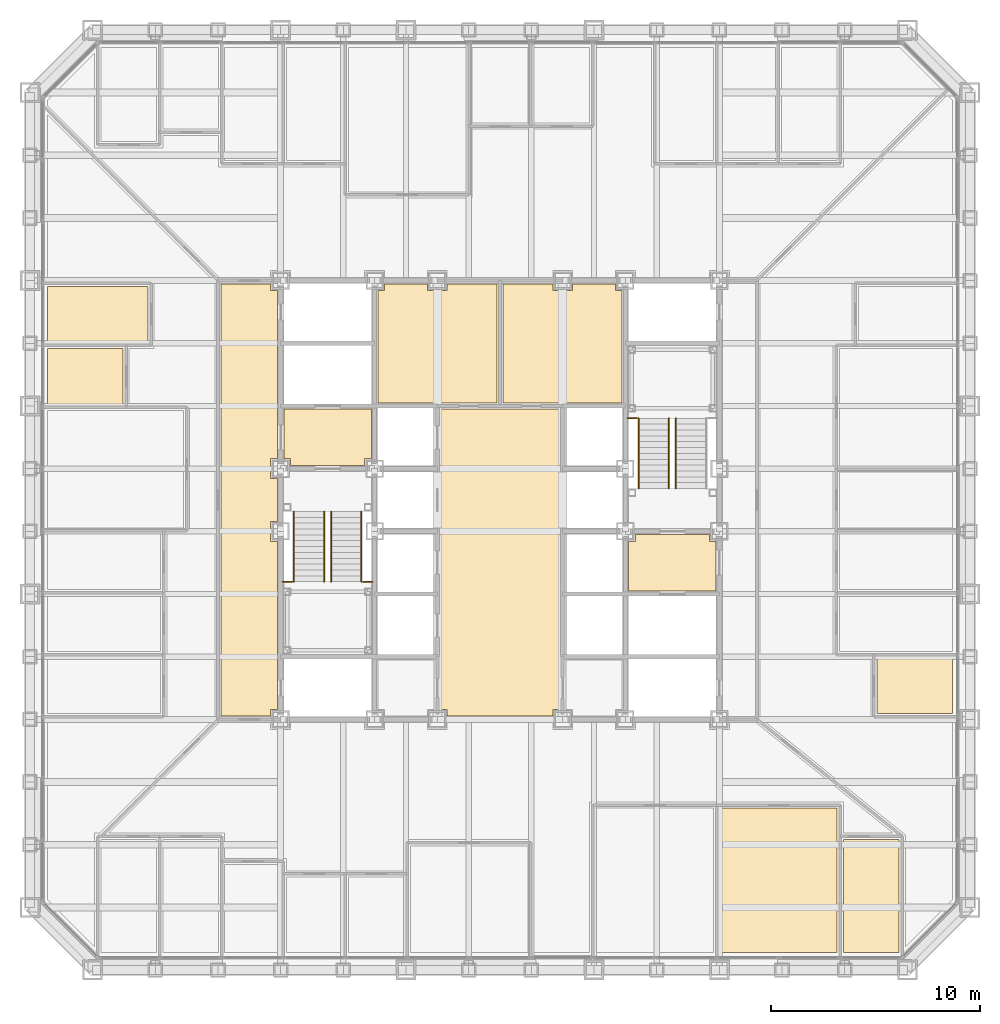
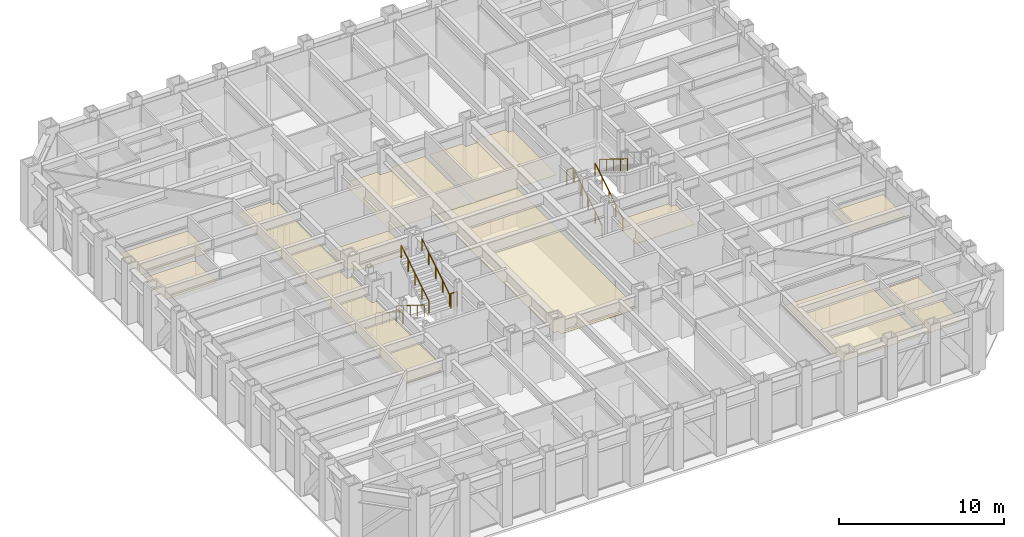
# One storey, part 15 of 17: 11 coverings, 10 railings.
"""IFC4 building model written with IfcOpenShell, lengths in metres."""

from ifc_helpers import new_model, si_unit, direction, frame, origin, origin_2d, place, context, subcontext, project, spatial, polyline, circle, outline, extrude, material, layer, layer_set, type_object, element, save


model = new_model("IFC4")

# Units and contexts
model_context = context("Model", 3, precision=1e-05, world=origin(), true_north=direction((0.0, 1.0)))
body_context = subcontext(model_context, "Body", "Model", "MODEL_VIEW")
ifc_project = project(units=[si_unit("LENGTHUNIT", "METRE"), si_unit("AREAUNIT", "SQUARE_METRE"), si_unit("VOLUMEUNIT", "CUBIC_METRE"), si_unit("PLANEANGLEUNIT", "RADIAN"), si_unit("MASSUNIT", "GRAM", prefix="KILO")], contexts=[model_context])

# Site, building, storey
site_placement = place(None, origin())
site = spatial("IfcSite", under=ifc_project, at=site_placement, CompositionType="ELEMENT")
building_placement = place(site_placement, origin())
building = spatial("IfcBuilding", under=site, at=building_placement, Name="Chuquiago Exchange Tower", CompositionType="ELEMENT")
storey_placement = place(building_placement, frame((0.0, 0.0, 46.800048828125)))
storey = spatial("IfcBuildingStorey", under=building, at=storey_placement, Name="L09", CompositionType="ELEMENT", Elevation=46.800048828125)

# Coverings
ifc_material_1 = material(Name="Mineral fibre tile, 600 x 600, on pale metal grid", Category="mineral fibre")
ifc_layer_1 = layer(ifc_material_1, 0.02001953125)
ifc_layer_set_1 = layer_set([ifc_layer_1], Name="CL1 suspended tile ceiling 20")
covering_type_1 = type_object("IfcCoveringType", Name="CL1 suspended tile ceiling 20", PredefinedType="CEILING", material=ifc_layer_set_1)
covering_1_placement = place(storey_placement, frame((0.0, 0.0, 3.0)))
element("IfcCovering", 1, at=covering_1_placement, inside=storey, type_object=covering_type_1, Name="Ceiling Market data room", PredefinedType="CEILING", context=body_context, shape_type="SweptSolid", body=[
    extrude(outline(polyline([(33.01611328125, 7.75), (38.6396484375, 7.75), (38.6396484375, 0.85009765625), (33.01611328125, 0.85009765625), (33.01611328125, 7.75)])), origin(), (0.0, 0.0, 1.0), 0.02001953125),
])
covering_2_placement = place(storey_placement, frame((0.0, 0.0, 3.0)))
element("IfcCovering", 2, at=covering_2_placement, inside=storey, type_object=covering_type_1, Name="Ceiling Trading support room", PredefinedType="CEILING", context=body_context, shape_type="SweptSolid", body=[
    extrude(outline(polyline([(38.939697265625, 0.85009765625), (38.939697265625, 6.25), (41.6015625, 6.25), (41.6015625, 0.85009765625), (38.939697265625, 0.85009765625)])), origin(), (0.0, 0.0, 1.0), 0.02001953125),
])
covering_3_placement = place(storey_placement, frame((0.0, 0.0, 3.0)))
element("IfcCovering", 3, at=covering_3_placement, inside=storey, type_object=covering_type_1, Name="Ceiling Focus room", PredefinedType="CEILING", context=body_context, shape_type="SweptSolid", body=[
    extrude(outline(polyline([(40.550048828125, 12.28369140625), (40.550048828125, 14.945556640625), (44.14990234375, 14.945556640625), (44.14990234375, 12.28369140625), (40.550048828125, 12.28369140625)])), origin(), (0.0, 0.0, 1.0), 0.02001953125),
])
covering_4_placement = place(storey_placement, frame((0.0, 0.0, 3.0)))
element("IfcCovering", 4, at=covering_4_placement, inside=storey, type_object=covering_type_1, Name="Ceiling Focus room", PredefinedType="CEILING", context=body_context, shape_type="SweptSolid", body=[
    extrude(outline(polyline([(4.449951171875, 29.75439453125), (4.449951171875, 27.092529296875), (0.85009765625, 27.092529296875), (0.85009765625, 29.75439453125), (4.449951171875, 29.75439453125)])), origin(), (0.0, 0.0, 1.0), 0.02001953125),
])
covering_5_placement = place(storey_placement, frame((0.0, 0.0, 3.0)))
element("IfcCovering", 5, at=covering_5_placement, inside=storey, type_object=covering_type_1, Name="Ceiling Wellness room", PredefinedType="CEILING", context=body_context, shape_type="SweptSolid", body=[
    extrude(outline(polyline([(5.64990234375, 32.71630859375), (5.64990234375, 30.054443359375), (0.85009765625, 30.054443359375), (0.85009765625, 32.71630859375), (5.64990234375, 32.71630859375)])), origin(), (0.0, 0.0, 1.0), 0.02001953125),
])
covering_6_placement = place(storey_placement, frame((0.0, 0.0, 3.0)))
element("IfcCovering", 6, at=covering_6_placement, inside=storey, type_object=covering_type_1, Name="Ceiling Circulation corridor", PredefinedType="CEILING", context=body_context, shape_type="SweptSolid", body=[
    extrude(outline(polyline([(9.14990234375, 12.14990234375), (9.14990234375, 32.85009765625), (11.52490234375, 32.85009765625), (11.52490234375, 32.52490234375), (11.85009765625, 32.52490234375), (11.85009765625, 24.47509765625), (11.52490234375, 24.47509765625), (11.52490234375, 23.52490234375), (11.85009765625, 23.52490234375), (11.85009765625, 21.47509765625), (11.52490234375, 21.47509765625), (11.52490234375, 20.52490234375), (11.85009765625, 20.52490234375), (11.85009765625, 12.47509765625), (11.52490234375, 12.47509765625), (11.52490234375, 12.14990234375), (9.14990234375, 12.14990234375)])), origin(), (0.0, 0.0, 1.0), 0.02001953125),
])
ifc_material_2 = material(Name="Moisture resistant plasterboard on metal frame", Category="gypsum")
ifc_layer_2 = layer(ifc_material_2, 0.014892578125)
ifc_layer_set_2 = layer_set([ifc_layer_2], Name="CL2 moisture resistant ceiling 15")
covering_type_2 = type_object("IfcCoveringType", Name="CL2 moisture resistant ceiling 15", PredefinedType="CEILING", material=ifc_layer_set_2)
covering_7_placement = place(storey_placement, frame((0.0, 0.0, 2.599853515625)))
element("IfcCovering", 7, at=covering_7_placement, inside=storey, type_object=covering_type_2, Name="Ceiling Male WC", PredefinedType="CEILING", context=body_context, shape_type="SweptSolid", body=[
    extrude(outline(polyline([(16.64990234375, 27.14990234375), (16.64990234375, 32.52490234375), (16.97509765625, 32.52490234375), (16.97509765625, 32.85009765625), (19.02490234375, 32.85009765625), (19.02490234375, 32.52490234375), (19.97509765625, 32.52490234375), (19.97509765625, 32.85009765625), (22.35009765625, 32.85009765625), (22.35009765625, 27.14990234375), (16.64990234375, 27.14990234375)])), origin(), (0.0, 0.0, 1.0), 0.01513671875),
])
covering_8_placement = place(storey_placement, frame((0.0, 0.0, 2.599853515625)))
element("IfcCovering", 8, at=covering_8_placement, inside=storey, type_object=covering_type_2, Name="Ceiling Female WC", PredefinedType="CEILING", context=body_context, shape_type="SweptSolid", body=[
    extrude(outline(polyline([(22.64990234375, 27.14990234375), (22.64990234375, 32.85009765625), (25.02490234375, 32.85009765625), (25.02490234375, 32.52490234375), (25.97509765625, 32.52490234375), (25.97509765625, 32.85009765625), (28.02490234375, 32.85009765625), (28.02490234375, 32.52490234375), (28.35009765625, 32.52490234375), (28.35009765625, 27.14990234375), (22.64990234375, 27.14990234375)])), origin(), (0.0, 0.0, 1.0), 0.01513671875),
])
ifc_material_3 = material(Name="Pale metal plank ceiling, perforated", Category="aluminium")
ifc_layer_3 = layer(ifc_material_3, 0.030029296875)
ifc_layer_set_3 = layer_set([ifc_layer_3], Name="CL3 metal plank ceiling 30")
covering_type_3 = type_object("IfcCoveringType", Name="CL3 metal plank ceiling 30", PredefinedType="CEILING", material=ifc_layer_set_3)
covering_9_placement = place(storey_placement, frame((0.0, 0.0, 2.800048828125)))
element("IfcCovering", 9, at=covering_9_placement, inside=storey, type_object=covering_type_3, Name="Ceiling Lift lobby", PredefinedType="CEILING", context=body_context, shape_type="SweptSolid", body=[
    extrude(outline(polyline([(19.97509765625, 12.14990234375), (19.97509765625, 12.47509765625), (19.64990234375, 12.47509765625), (19.64990234375, 26.85009765625), (25.35009765625, 26.85009765625), (25.35009765625, 12.47509765625), (25.02490234375, 12.47509765625), (25.02490234375, 12.14990234375), (19.97509765625, 12.14990234375)])), origin(), (0.0, 0.0, 1.0), 0.02978515625),
])
covering_10_placement = place(storey_placement, frame((0.0, 0.0, 2.800048828125)))
element("IfcCovering", 10, at=covering_10_placement, inside=storey, type_object=covering_type_3, Name="Ceiling Firefighting lobby", PredefinedType="CEILING", context=body_context, shape_type="SweptSolid", body=[
    extrude(outline(polyline([(12.47509765625, 24.14990234375), (12.47509765625, 24.47509765625), (12.14990234375, 24.47509765625), (12.14990234375, 26.85009765625), (16.35009765625, 26.85009765625), (16.35009765625, 24.47509765625), (16.02490234375, 24.47509765625), (16.02490234375, 24.14990234375), (12.47509765625, 24.14990234375)])), origin(), (0.0, 0.0, 1.0), 0.02978515625),
])
covering_11_placement = place(storey_placement, frame((0.0, 0.0, 2.800048828125)))
element("IfcCovering", 11, at=covering_11_placement, inside=storey, type_object=covering_type_3, Name="Ceiling Firefighting lobby", PredefinedType="CEILING", context=body_context, shape_type="SweptSolid", body=[
    extrude(outline(polyline([(28.64990234375, 18.14990234375), (28.64990234375, 20.52490234375), (28.97509765625, 20.52490234375), (28.97509765625, 20.85009765625), (32.52490234375, 20.85009765625), (32.52490234375, 20.52490234375), (32.85009765625, 20.52490234375), (32.85009765625, 18.14990234375), (28.64990234375, 18.14990234375)])), origin(), (0.0, 0.0, 1.0), 0.02978515625),
])

# Railings
ifc_material_4 = material(Name="Pale metal guard with safety glass infill", Category="glass")
railing_type_1 = type_object("IfcRailingType", Name="GR1 guard 1100", PredefinedType="GUARDRAIL", material=ifc_material_4)
for number, where, name in (
    (12, (12.10009765625, 18.590087890625, 2.25), "Guard ST1 L09 landing 2"),
    (13, (15.945068359375, 18.590087890625, 2.25), "Guard ST1 L09 landing 2"),
    (14, (28.60009765625, 26.409912109375, 2.25), "Guard ST2 L09 landing 2"),
):
    element("IfcRailing", number, at=place(storey_placement, frame(where)), inside=storey, type_object=railing_type_1, Name=name, PredefinedType="GUARDRAIL", context=body_context, shape_type="SweptSolid", body=[
        extrude(circle(Radius=0.02392578125, at=origin_2d()), frame((0.0, 0.0, 1.076171875), z_axis=(1.0, 0.0, 0.0), x_axis=(0.0, 1.0, 0.0)), (0.0, 0.0, 1.0), 0.454833984375),
        extrude(circle(Radius=0.02099609375, at=origin_2d()), origin(), (0.0, 0.0, 1.0), 1.052001953125),
        extrude(circle(Radius=0.02099609375, at=origin_2d()), frame((0.454833984375, 0.0, 0.0)), (0.0, 0.0, 1.0), 1.052001953125),
    ])
ifc_material_5 = material(Name="Pale metal handrail", Category="steel")
railing_type_2 = type_object("IfcRailingType", Name="HR1 handrail 900", PredefinedType="HANDRAIL", material=ifc_material_5)
for number, where, name in (
    (15, (12.635009765625, 21.949951171875, 0.173095703125), "Handrail ST1 L09 flight 1"),
    (16, (14.0849609375, 21.949951171875, 0.173095703125), "Handrail ST1 L09 flight 1"),
):
    element("IfcRailing", number, at=place(storey_placement, frame(where)), inside=storey, type_object=railing_type_2, Name=name, PredefinedType="HANDRAIL", context=body_context, shape_type="SweptSolid", body=[
        extrude(circle(Radius=0.02392578125, at=origin_2d()), frame((0.0, 0.0, 0.8759765625), z_axis=(0.0, -0.850606129759, 0.525803396734), x_axis=(1.0, 0.0, 0.0)), (0.0, 0.0, 1.0), 3.949951171875),
        extrude(circle(Radius=0.02099609375, at=origin_2d()), origin(), (0.0, 0.0, 1.0), 0.851806640625),
        extrude(circle(Radius=0.02099609375, at=origin_2d()), frame((0.0, -0.83984375, 0.519287109375)), (0.0, 0.0, 1.0), 0.851806640625),
        extrude(circle(Radius=0.02099609375, at=origin_2d()), frame((0.0, -1.679931640625, 1.03857421875)), (0.0, 0.0, 1.0), 0.851806640625),
        extrude(circle(Radius=0.02099609375, at=origin_2d()), frame((0.0, -2.52001953125, 1.5576171875)), (0.0, 0.0, 1.0), 0.851806640625),
        extrude(circle(Radius=0.02099609375, at=origin_2d()), frame((0.0, -3.35986328125, 2.076904296875)), (0.0, 0.0, 1.0), 0.851806640625),
    ])
for number, where, name in (
    (17, (15.864990234375, 18.590087890625, 2.423095703125), "Handrail ST1 L09 flight 2"),
    (18, (14.4150390625, 18.590087890625, 2.423095703125), "Handrail ST1 L09 flight 2"),
    (19, (30.5849609375, 23.050048828125, 0.173095703125), "Handrail ST2 L09 flight 1"),
    (20, (29.135009765625, 23.050048828125, 0.173095703125), "Handrail ST2 L09 flight 1"),
):
    element("IfcRailing", number, at=place(storey_placement, frame(where)), inside=storey, type_object=railing_type_2, Name=name, PredefinedType="HANDRAIL", context=body_context, shape_type="SweptSolid", body=[
        extrude(circle(Radius=0.02392578125, at=origin_2d()), frame((0.0, 0.0, 0.8759765625), z_axis=(0.0, 0.850606129759, 0.525803396734), x_axis=(-1.0, 0.0, 0.0)), (0.0, 0.0, 1.0), 3.949951171875),
        extrude(circle(Radius=0.02099609375, at=origin_2d()), origin(), (0.0, 0.0, 1.0), 0.851806640625),
        extrude(circle(Radius=0.02099609375, at=origin_2d()), frame((0.0, 0.83984375, 0.519287109375)), (0.0, 0.0, 1.0), 0.851806640625),
        extrude(circle(Radius=0.02099609375, at=origin_2d()), frame((0.0, 1.679931640625, 1.03857421875)), (0.0, 0.0, 1.0), 0.851806640625),
        extrude(circle(Radius=0.02099609375, at=origin_2d()), frame((0.0, 2.52001953125, 1.5576171875)), (0.0, 0.0, 1.0), 0.851806640625),
        extrude(circle(Radius=0.02099609375, at=origin_2d()), frame((0.0, 3.35986328125, 2.076904296875)), (0.0, 0.0, 1.0), 0.851806640625),
    ])
railing_placement = place(storey_placement, frame((30.9150390625, 26.409912109375, 2.423095703125)))
element("IfcRailing", 21, at=railing_placement, inside=storey, type_object=railing_type_2, Name="Handrail ST2 L09 flight 2", PredefinedType="HANDRAIL", context=body_context, shape_type="SweptSolid", body=[
    extrude(circle(Radius=0.02392578125, at=origin_2d()), frame((0.0, 0.0, 0.8759765625), z_axis=(0.0, -0.850606129759, 0.525803396734), x_axis=(1.0, 0.0, 0.0)), (0.0, 0.0, 1.0), 3.949951171875),
    extrude(circle(Radius=0.02099609375, at=origin_2d()), origin(), (0.0, 0.0, 1.0), 0.851806640625),
    extrude(circle(Radius=0.02099609375, at=origin_2d()), frame((0.0, -0.83984375, 0.519287109375)), (0.0, 0.0, 1.0), 0.851806640625),
    extrude(circle(Radius=0.02099609375, at=origin_2d()), frame((0.0, -1.679931640625, 1.03857421875)), (0.0, 0.0, 1.0), 0.851806640625),
    extrude(circle(Radius=0.02099609375, at=origin_2d()), frame((0.0, -2.52001953125, 1.5576171875)), (0.0, 0.0, 1.0), 0.851806640625),
    extrude(circle(Radius=0.02099609375, at=origin_2d()), frame((0.0, -3.35986328125, 2.076904296875)), (0.0, 0.0, 1.0), 0.851806640625),
])

save(model, "model.ifc")
